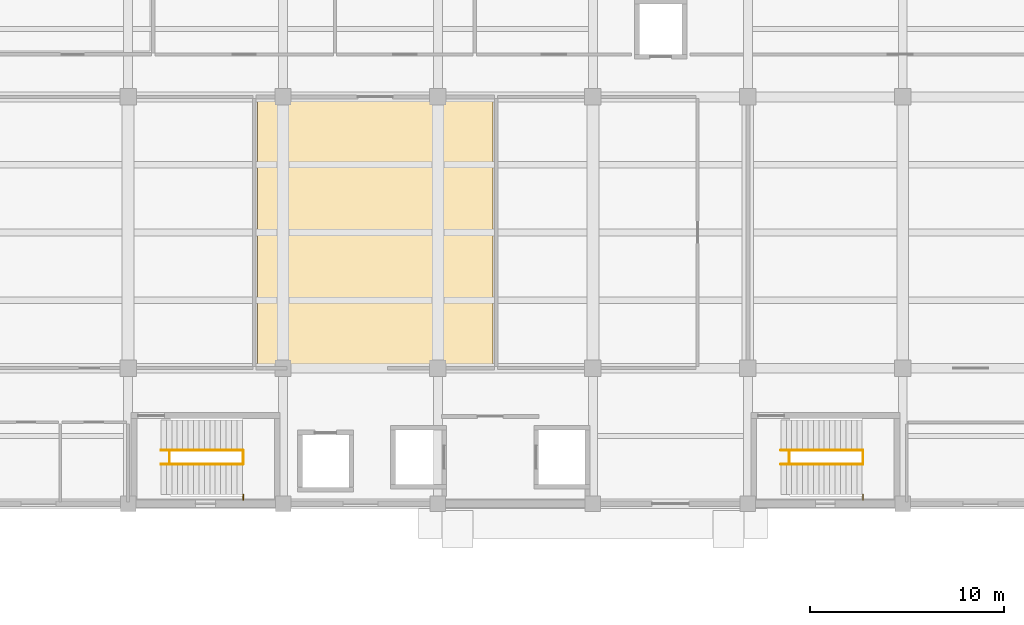
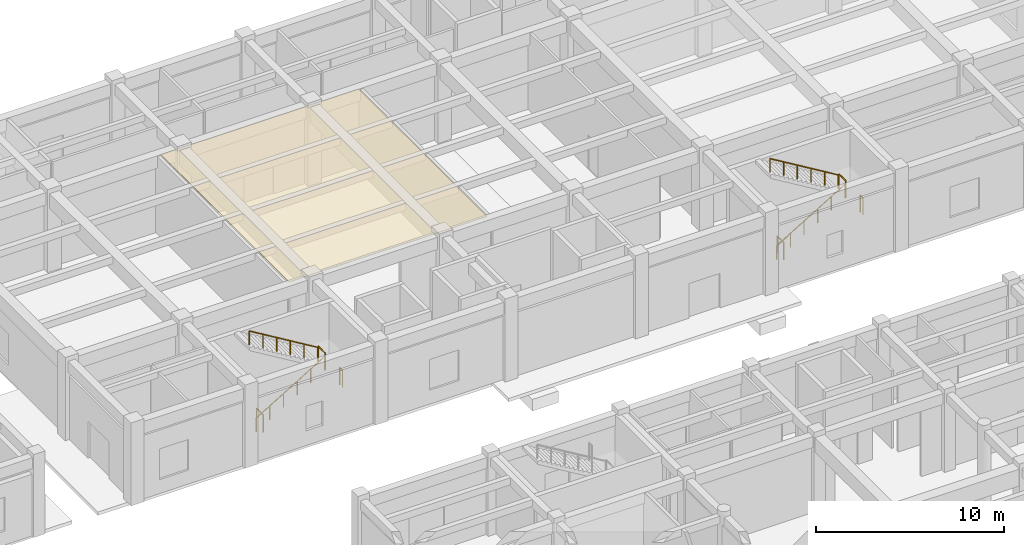
# One storey, part 38 of 40: 10 railings, 1 covering.
"""IFC4 building model written with IfcOpenShell, lengths in metres."""

from ifc_helpers import new_model, si_unit, direction, frame, origin, origin_2d, place, context, subcontext, project, spatial, polyline, circle, outline, extrude, material, layer, layer_set, type_object, element, save


model = new_model("IFC4")

# Units and contexts
model_context = context("Model", 3, precision=1e-05, world=origin(), true_north=direction((0.0, 1.0)))
body_context = subcontext(model_context, "Body", "Model", "MODEL_VIEW")
ifc_project = project(units=[si_unit("LENGTHUNIT", "METRE"), si_unit("AREAUNIT", "SQUARE_METRE"), si_unit("VOLUMEUNIT", "CUBIC_METRE"), si_unit("PLANEANGLEUNIT", "RADIAN"), si_unit("MASSUNIT", "GRAM", prefix="KILO")], contexts=[model_context])

# Site, building, storey
site_placement = place(None, origin())
site = spatial("IfcSite", under=ifc_project, at=site_placement, CompositionType="ELEMENT")
building_placement = place(site_placement, origin())
building = spatial("IfcBuilding", under=site, at=building_placement, Name="Naurynzar Civic Courthouse", CompositionType="ELEMENT")
storey_placement = place(building_placement, origin())
storey = spatial("IfcBuildingStorey", under=building, at=storey_placement, Name="L01", CompositionType="ELEMENT", Elevation=0.0)

# Covering
ifc_material_1 = material(Name="Acoustic Oak Timber Grade A", Category="wood")
ifc_layer = layer(ifc_material_1, 0.044921875)
ifc_layer_set = layer_set([ifc_layer], Name="CEIL-ACOUSTIC-OAK-45")
covering_type = type_object("IfcCoveringType", Name="CEIL-ACOUSTIC-OAK-45", PredefinedType="CEILING", material=ifc_layer_set)
covering_placement = place(storey_placement, frame((0.0, 0.0, 5.014892578125)))
element("IfcCovering", 1, at=covering_placement, inside=storey, type_object=covering_type, Name="Acoustic suspended ceiling Civil Intake Courtroom", PredefinedType="CEILING", context=body_context, shape_type="SweptSolid", body=[
    extrude(outline(polyline([(87.840087890625, 51.159912109375), (75.679931640625, 51.159912109375), (75.679931640625, 64.840087890625), (87.840087890625, 64.840087890625), (87.840087890625, 51.159912109375)])), origin(), (0.0, 0.0, 1.0), 0.045166015625),
])

# Railings
ifc_material_2 = material(Name="Brushed Stainless Steel 304", Category="steel")
railing_type_1 = type_object("IfcRailingType", Name="RAIL-BAL-1100", PredefinedType="BALUSTRADE", material=ifc_material_2)
for number, where, name in (
    (2, (71.139892578125, 46.0400390625, 0.0), "Stair ST-V2A floor well slot guard L01"),
    (3, (74.93994140625, 46.0400390625, 2.699951171875), "Stair ST-V2A-L01 half-landing well guard"),
):
    element("IfcRailing", number, at=place(storey_placement, frame(where)), inside=storey, type_object=railing_type_1, Name=name, PredefinedType="BALUSTRADE", context=body_context, shape_type="SweptSolid", body=[
        extrude(circle(Radius=0.02392578125, at=origin_2d()), frame((0.0, 0.0, 1.09619140625), z_axis=(0.0, 1.0, 0.0), x_axis=(-1.0, 0.0, 0.0)), (0.0, 0.0, 1.0), 0.719970703125),
        extrude(circle(Radius=0.02099609375, at=origin_2d()), origin(), (0.0, 0.0, 1.0), 1.072021484375),
        extrude(circle(Radius=0.02099609375, at=origin_2d()), frame((0.0, 0.719970703125, 0.0)), (0.0, 0.0, 1.0), 1.072021484375),
    ])
railing_1_placement = place(storey_placement, frame((74.93994140625, 44.195068359375, 2.699951171875)))
element("IfcRailing", 4, at=railing_1_placement, inside=storey, type_object=railing_type_1, Name="Stair ST-V2A-L01 half-landing south slot guard", PredefinedType="BALUSTRADE", context=body_context, shape_type="SweptSolid", body=[
    extrude(circle(Radius=0.02392578125, at=origin_2d()), frame((0.0, 0.0, 1.09619140625), z_axis=(0.0, 1.0, 0.0), x_axis=(-1.0, 0.0, 0.0)), (0.0, 0.0, 1.0), 0.284912109375),
    extrude(circle(Radius=0.02099609375, at=origin_2d()), origin(), (0.0, 0.0, 1.0), 1.072021484375),
    extrude(circle(Radius=0.02099609375, at=origin_2d()), frame((0.0, 0.284912109375, 0.0)), (0.0, 0.0, 1.0), 1.072021484375),
])
for number, where, name in (
    (5, (103.139892578125, 46.0400390625, 0.0), "Stair ST-V2B floor well slot guard L01"),
    (6, (106.93994140625, 46.0400390625, 2.699951171875), "Stair ST-V2B-L01 half-landing well guard"),
):
    element("IfcRailing", number, at=place(storey_placement, frame(where)), inside=storey, type_object=railing_type_1, Name=name, PredefinedType="BALUSTRADE", context=body_context, shape_type="SweptSolid", body=[
        extrude(circle(Radius=0.02392578125, at=origin_2d()), frame((0.0, 0.0, 1.09619140625), z_axis=(0.0, 1.0, 0.0), x_axis=(-1.0, 0.0, 0.0)), (0.0, 0.0, 1.0), 0.719970703125),
        extrude(circle(Radius=0.02099609375, at=origin_2d()), origin(), (0.0, 0.0, 1.0), 1.072021484375),
        extrude(circle(Radius=0.02099609375, at=origin_2d()), frame((0.0, 0.719970703125, 0.0)), (0.0, 0.0, 1.0), 1.072021484375),
    ])
railing_2_placement = place(storey_placement, frame((106.93994140625, 44.195068359375, 2.699951171875)))
element("IfcRailing", 7, at=railing_2_placement, inside=storey, type_object=railing_type_1, Name="Stair ST-V2B-L01 half-landing south slot guard", PredefinedType="BALUSTRADE", context=body_context, shape_type="SweptSolid", body=[
    extrude(circle(Radius=0.02392578125, at=origin_2d()), frame((0.0, 0.0, 1.09619140625), z_axis=(0.0, 1.0, 0.0), x_axis=(-1.0, 0.0, 0.0)), (0.0, 0.0, 1.0), 0.284912109375),
    extrude(circle(Radius=0.02099609375, at=origin_2d()), origin(), (0.0, 0.0, 1.0), 1.072021484375),
    extrude(circle(Radius=0.02099609375, at=origin_2d()), frame((0.0, 0.284912109375, 0.0)), (0.0, 0.0, 1.0), 1.072021484375),
])
ifc_material_3 = material(Name="Brushed Stainless Steel 304", Category="steel")
railing_type_2 = type_object("IfcRailingType", Name="RAIL-HR-900", PredefinedType="HANDRAIL", material=ifc_material_3)
railing_3_placement = place(storey_placement, frame((70.699951171875, 46.0400390625, 0.168701171875)))
element("IfcRailing", 8, at=railing_3_placement, inside=storey, type_object=railing_type_2, Name="Stair ST-V2A-L01 flight 1 handrail", PredefinedType="HANDRAIL", context=body_context, shape_type="SweptSolid", body=[
    extrude(circle(Radius=0.02392578125, at=origin_2d()), frame((0.0, 0.0, 0.8759765625), z_axis=(0.856476492594, 0.0, 0.516186030065), x_axis=(0.0, 1.0, 0.0)), (0.0, 0.0, 1.0), 4.90380859375),
    extrude(circle(Radius=0.02099609375, at=origin_2d()), origin(), (0.0, 0.0, 1.0), 0.851806640625),
    extrude(circle(Radius=0.02099609375, at=origin_2d()), frame((0.840087890625, 0.0, 0.50634765625)), (0.0, 0.0, 1.0), 0.851806640625),
    extrude(circle(Radius=0.02099609375, at=origin_2d()), frame((1.679931640625, 0.0, 1.012451171875)), (0.0, 0.0, 1.0), 0.851806640625),
    extrude(circle(Radius=0.02099609375, at=origin_2d()), frame((2.52001953125, 0.0, 1.518798828125)), (0.0, 0.0, 1.0), 0.851806640625),
    extrude(circle(Radius=0.02099609375, at=origin_2d()), frame((3.35986328125, 0.0, 2.02490234375)), (0.0, 0.0, 1.0), 0.851806640625),
    extrude(circle(Radius=0.02099609375, at=origin_2d()), frame((4.199951171875, 0.0, 2.53125)), (0.0, 0.0, 1.0), 0.851806640625),
])
railing_4_placement = place(storey_placement, frame((74.89990234375, 46.760009765625, 2.868896484375)))
element("IfcRailing", 9, at=railing_4_placement, inside=storey, type_object=railing_type_2, Name="Stair ST-V2A-L01 flight 2 handrail", PredefinedType="HANDRAIL", context=body_context, shape_type="SweptSolid", body=[
    extrude(circle(Radius=0.02392578125, at=origin_2d()), frame((0.0, 0.0, 0.8759765625), z_axis=(-0.856498503035, 0.0, 0.5161495077), x_axis=(0.0, -1.0, 0.0)), (0.0, 0.0, 1.0), 4.903564453125),
    extrude(circle(Radius=0.02099609375, at=origin_2d()), origin(), (0.0, 0.0, 1.0), 0.851806640625),
    extrude(circle(Radius=0.02099609375, at=origin_2d()), frame((-0.840087890625, 0.0, 0.506103515625)), (0.0, 0.0, 1.0), 0.851806640625),
    extrude(circle(Radius=0.02099609375, at=origin_2d()), frame((-1.679931640625, 0.0, 1.012451171875)), (0.0, 0.0, 1.0), 0.851806640625),
    extrude(circle(Radius=0.02099609375, at=origin_2d()), frame((-2.52001953125, 0.0, 1.5185546875)), (0.0, 0.0, 1.0), 0.851806640625),
    extrude(circle(Radius=0.02099609375, at=origin_2d()), frame((-3.35986328125, 0.0, 2.02490234375)), (0.0, 0.0, 1.0), 0.851806640625),
    extrude(circle(Radius=0.02099609375, at=origin_2d()), frame((-4.199951171875, 0.0, 2.531005859375)), (0.0, 0.0, 1.0), 0.851806640625),
])
railing_5_placement = place(storey_placement, frame((102.699951171875, 46.0400390625, 0.168701171875)))
element("IfcRailing", 10, at=railing_5_placement, inside=storey, type_object=railing_type_2, Name="Stair ST-V2B-L01 flight 1 handrail", PredefinedType="HANDRAIL", context=body_context, shape_type="SweptSolid", body=[
    extrude(circle(Radius=0.02392578125, at=origin_2d()), frame((0.0, 0.0, 0.8759765625), z_axis=(0.856476492594, 0.0, 0.516186030065), x_axis=(0.0, 1.0, 0.0)), (0.0, 0.0, 1.0), 4.90380859375),
    extrude(circle(Radius=0.02099609375, at=origin_2d()), origin(), (0.0, 0.0, 1.0), 0.851806640625),
    extrude(circle(Radius=0.02099609375, at=origin_2d()), frame((0.840087890625, 0.0, 0.50634765625)), (0.0, 0.0, 1.0), 0.851806640625),
    extrude(circle(Radius=0.02099609375, at=origin_2d()), frame((1.679931640625, 0.0, 1.012451171875)), (0.0, 0.0, 1.0), 0.851806640625),
    extrude(circle(Radius=0.02099609375, at=origin_2d()), frame((2.52001953125, 0.0, 1.518798828125)), (0.0, 0.0, 1.0), 0.851806640625),
    extrude(circle(Radius=0.02099609375, at=origin_2d()), frame((3.35986328125, 0.0, 2.02490234375)), (0.0, 0.0, 1.0), 0.851806640625),
    extrude(circle(Radius=0.02099609375, at=origin_2d()), frame((4.199951171875, 0.0, 2.53125)), (0.0, 0.0, 1.0), 0.851806640625),
])
railing_6_placement = place(storey_placement, frame((106.89990234375, 46.760009765625, 2.868896484375)))
element("IfcRailing", 11, at=railing_6_placement, inside=storey, type_object=railing_type_2, Name="Stair ST-V2B-L01 flight 2 handrail", PredefinedType="HANDRAIL", context=body_context, shape_type="SweptSolid", body=[
    extrude(circle(Radius=0.02392578125, at=origin_2d()), frame((0.0, 0.0, 0.8759765625), z_axis=(-0.856498503035, 0.0, 0.5161495077), x_axis=(0.0, -1.0, 0.0)), (0.0, 0.0, 1.0), 4.903564453125),
    extrude(circle(Radius=0.02099609375, at=origin_2d()), origin(), (0.0, 0.0, 1.0), 0.851806640625),
    extrude(circle(Radius=0.02099609375, at=origin_2d()), frame((-0.840087890625, 0.0, 0.506103515625)), (0.0, 0.0, 1.0), 0.851806640625),
    extrude(circle(Radius=0.02099609375, at=origin_2d()), frame((-1.679931640625, 0.0, 1.012451171875)), (0.0, 0.0, 1.0), 0.851806640625),
    extrude(circle(Radius=0.02099609375, at=origin_2d()), frame((-2.52001953125, 0.0, 1.5185546875)), (0.0, 0.0, 1.0), 0.851806640625),
    extrude(circle(Radius=0.02099609375, at=origin_2d()), frame((-3.35986328125, 0.0, 2.02490234375)), (0.0, 0.0, 1.0), 0.851806640625),
    extrude(circle(Radius=0.02099609375, at=origin_2d()), frame((-4.199951171875, 0.0, 2.531005859375)), (0.0, 0.0, 1.0), 0.851806640625),
])

save(model, "model.ifc")
